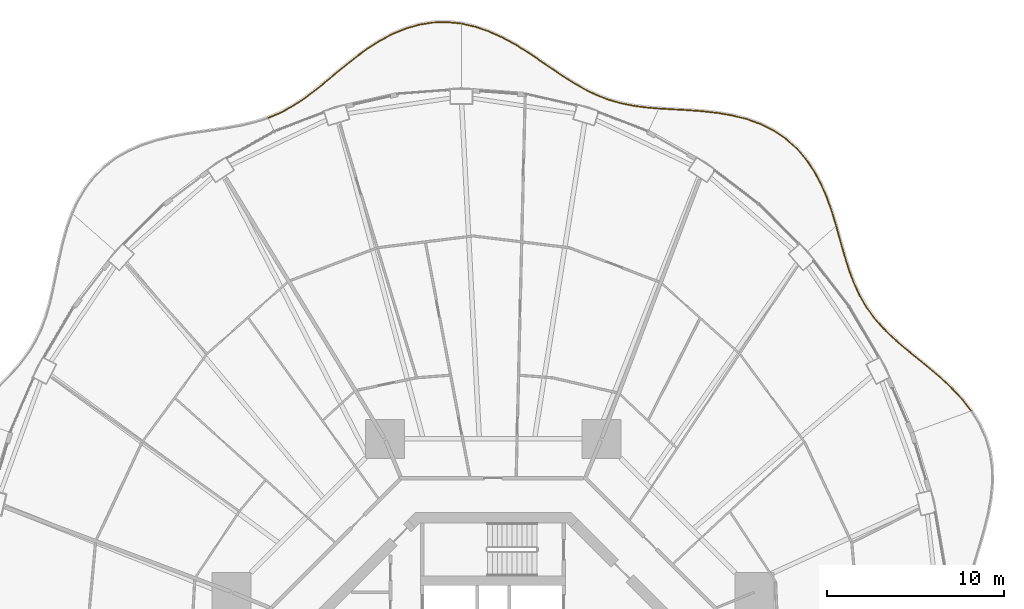
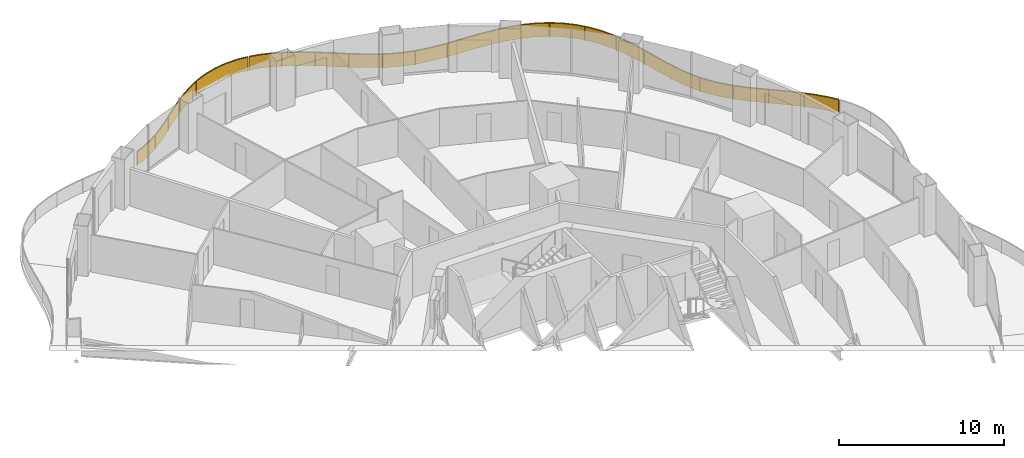
# One storey, part 24 of 24: 4 railings.
"""IFC4 building model written with IfcOpenShell, lengths in metres."""

import ifcopenshell
import ifcopenshell.guid

model = None  # the IFC model being written
_history = None  # IfcOwnerHistory: only IFC2X3 demands one
_inside = {}  # id of a spatial element -> (the spatial element, [elements in it])
_under = {}  # id of a project, library or spatial element -> (it, [spatial elements below it])
_declared = {}  # id of a project -> (the project, [libraries it declares])
_typed = {}  # id of a type object -> (the type object, [elements of that type])
_made_of = {}  # id of a material, layer set ... -> (it, [elements and type objects made of it])


def new_model(schema):
    """Start an empty IFC model of exactly this schema.

    Asked for "IFC4X3", IfcOpenShell would pick the latest addendum, in which some entities
    have other attributes; the version numbers below select the first issue.
    IFC2X3 requires an IfcOwnerHistory on every rooted entity: one is made here for all.
    """
    global model, _history
    if schema == "IFC4X3":
        model = ifcopenshell.file(schema_version=(4, 3, 0, 0))
    else:
        model = ifcopenshell.file(schema=schema)
    _inside.clear()
    _under.clear()
    _declared.clear()
    _typed.clear()
    _made_of.clear()
    _history = None
    if model.schema == "IFC2X3":
        org = make("IfcOrganization", Name="unknown")
        user = make(
            "IfcPersonAndOrganization",
            ThePerson=make("IfcPerson", FamilyName="unknown"),
            TheOrganization=org,
        )
        app = make(
            "IfcApplication",
            ApplicationDeveloper=org,
            Version="unknown",
            ApplicationFullName="unknown",
            ApplicationIdentifier="unknown",
        )
        _history = make(
            "IfcOwnerHistory",
            OwningUser=user,
            OwningApplication=app,
            ChangeAction="ADDED",
            CreationDate=0,
        )
    return model


def make(cls, **values):
    """One entity of the class cls with the attributes given. An attribute that is None is left unset."""
    return model.create_entity(
        cls, **{name: value for name, value in values.items() if value is not None}
    )


def rooted(cls, **values):
    """An entity with a GlobalId (a new one), such as an element, a storey or a relation."""
    return make(cls, GlobalId=ifcopenshell.guid.new(), OwnerHistory=_history, **values)


def si_unit(unit_type, name, prefix=None):
    """IfcSIUnit, for example si_unit("LENGTHUNIT", "METRE", prefix="MILLI")."""
    return make("IfcSIUnit", UnitType=unit_type, Prefix=prefix, Name=name)


def assignment(units):
    """IfcUnitAssignment: the units of a project."""
    return None if units is None else make("IfcUnitAssignment", Units=units)


def point(xyz):
    """IfcCartesianPoint."""
    return None if xyz is None else make("IfcCartesianPoint", Coordinates=xyz)


def direction(xyz):
    """IfcDirection."""
    return None if xyz is None else make("IfcDirection", DirectionRatios=xyz)


def frame(location, z_axis=None, x_axis=None):
    """IfcAxis2Placement3D, a coordinate frame: its origin and axes. An axis left out is left unset."""
    return make(
        "IfcAxis2Placement3D",
        Location=point(location),
        Axis=direction(z_axis),
        RefDirection=direction(x_axis),
    )


def frame_2d(location, x_axis=None):
    """IfcAxis2Placement2D, a coordinate frame in the plane: its origin and x axis."""
    return make(
        "IfcAxis2Placement2D", Location=point(location), RefDirection=direction(x_axis)
    )


def origin():
    """The frame at (0, 0, 0) with its axes left unset."""
    return frame((0.0, 0.0, 0.0))


def origin_2d():
    """The frame at (0, 0) in the plane with its x axis left unset."""
    return frame_2d((0.0, 0.0))


def place(relative_to, where):
    """IfcLocalPlacement: puts the frame where relative to a parent placement (None: the world)."""
    return make(
        "IfcLocalPlacement", PlacementRelTo=relative_to, RelativePlacement=where
    )


def context(
    kind, dimensions, precision=None, world=None, true_north=None, identifier=None
):
    """IfcGeometricRepresentationContext, for example the 3D "Model" context."""
    return make(
        "IfcGeometricRepresentationContext",
        ContextIdentifier=identifier,
        ContextType=kind,
        CoordinateSpaceDimension=dimensions,
        Precision=precision,
        WorldCoordinateSystem=world,
        TrueNorth=true_north,
    )


def subcontext(parent, identifier, kind, view, scale=None):
    """IfcGeometricRepresentationSubContext, for example "Body" below "Model"."""
    return make(
        "IfcGeometricRepresentationSubContext",
        ContextIdentifier=identifier,
        ContextType=kind,
        ParentContext=parent,
        TargetScale=scale,
        TargetView=view,
    )


def project(units=None, contexts=None):
    """IfcProject with its units and contexts."""
    return rooted(
        "IfcProject",
        Name="project",
        RepresentationContexts=contexts,
        UnitsInContext=assignment(units),
    )


def spatial(cls, under=None, at=None, **own):
    """A site, building, storey or space (cls), placed at a placement, below another one or the project."""
    s = rooted(cls, ObjectPlacement=at, **own)
    if under is not None:
        _under.setdefault(under.id(), (under, []))[1].append(s)
    return s


def polyline(points):
    """IfcPolyline through the points."""
    return make("IfcPolyline", Points=[point(p) for p in points])


def profile(cls, at=None, kind="AREA", **sizes):
    """A parametric profile (cls). Its sizes go by their IFC names, for example OverallWidth=200.0."""
    return make(cls, ProfileType=kind, Position=at, **sizes)


def rectangle(**sizes):
    """IfcRectangleProfileDef."""
    return profile("IfcRectangleProfileDef", **sizes)


def outline(outer, holes=None, kind="AREA"):
    """IfcArbitraryClosedProfileDef: a profile drawn as a closed curve; with holes, ...WithVoids."""
    if holes is None:
        return make("IfcArbitraryClosedProfileDef", ProfileType=kind, OuterCurve=outer)
    return make(
        "IfcArbitraryProfileDefWithVoids",
        ProfileType=kind,
        OuterCurve=outer,
        InnerCurves=holes,
    )


def extrude(swept, where, along, depth):
    """IfcExtrudedAreaSolid: the profile swept, set in the frame where, extruded along a direction by depth."""
    return make(
        "IfcExtrudedAreaSolid",
        SweptArea=swept,
        Position=where,
        ExtrudedDirection=direction(along),
        Depth=depth,
    )


def shape(context_of_items, identifier, shape_type, items):
    """IfcShapeRepresentation: the items that make up one representation, for example the "Body"."""
    return make(
        "IfcShapeRepresentation",
        ContextOfItems=context_of_items,
        RepresentationIdentifier=identifier,
        RepresentationType=shape_type,
        Items=items,
    )


def material(Name=None, Category=None):
    """IfcMaterial."""
    return make("IfcMaterial", Name=Name, Category=Category)


def made_of(thing, what):
    """Note that an element or type object is made of a material, layer set ...; save() writes the relation."""
    if what is not None:
        _made_of.setdefault(what.id(), (what, []))[1].append(thing)
    return thing


def type_object(cls, material=None, **own):
    """A type object (cls), such as IfcWallType, which elements share."""
    return made_of(rooted(cls, **own), material)


def element(
    cls,
    number,
    at=None,
    inside=None,
    cuts=None,
    type_object=None,
    material=None,
    context=None,
    identifier="Body",
    shape_type=None,
    held_by="IfcProductDefinitionShape",
    body=None,
    shapes=None,
    **own,
):
    """One element of the class cls, such as IfcWall. Its Tag is "e" and its number.

    at: its placement. inside: the storey or other place that contains it. cuts: it is an
    opening in that element (IfcRelVoidsElement). A single representation is given by context,
    identifier, shape_type and body (its items); several are given by shapes. held_by: the class
    of the entity that holds the representations. save() writes the other relations.
    """
    e = rooted(cls, Tag="e%d" % number, ObjectPlacement=at, **own)
    if body is not None:
        shapes = [shape(context, identifier, shape_type, body)]
    if shapes is not None:
        e.Representation = make(held_by, Representations=shapes)
    if inside is not None:
        _inside.setdefault(inside.id(), (inside, []))[1].append(e)
    if cuts is not None:
        rooted(
            "IfcRelVoidsElement", RelatingBuildingElement=cuts, RelatedOpeningElement=e
        )
    if type_object is not None:
        _typed.setdefault(type_object.id(), (type_object, []))[1].append(e)
    return made_of(e, material)


def aggregate(whole, parts):
    """IfcRelAggregates: a whole, such as a stair, and the parts it consists of."""
    return rooted("IfcRelAggregates", RelatingObject=whole, RelatedObjects=parts)


def save(model, path):
    """Write the relations noted so far, then the file.

    IfcRelAggregates (storeys below a building ...), IfcRelContainedInSpatialStructure (elements
    in a storey), IfcRelDefinesByType, IfcRelAssociatesMaterial and IfcRelDeclares: one each for
    every whole, place, type object, material and project.
    """
    for whole, parts in _under.values():
        aggregate(whole, parts)
    for where, things in _inside.values():
        rooted(
            "IfcRelContainedInSpatialStructure",
            RelatedElements=things,
            RelatingStructure=where,
        )
    for kind, things in _typed.values():
        rooted("IfcRelDefinesByType", RelatedObjects=things, RelatingType=kind)
    for what, things in _made_of.values():
        rooted("IfcRelAssociatesMaterial", RelatedObjects=things, RelatingMaterial=what)
    for by, libraries in _declared.values():
        rooted("IfcRelDeclares", RelatingContext=by, RelatedDefinitions=libraries)
    model.write(path)


model = new_model("IFC4")

# Units and contexts
model_context = context("Model", 3, precision=1e-05, world=origin(), true_north=direction((0.0, 1.0)))
body_context = subcontext(model_context, "Body", "Model", "MODEL_VIEW")
ifc_project = project(units=[si_unit("LENGTHUNIT", "METRE"), si_unit("AREAUNIT", "SQUARE_METRE"), si_unit("VOLUMEUNIT", "CUBIC_METRE"), si_unit("PLANEANGLEUNIT", "RADIAN"), si_unit("MASSUNIT", "GRAM", prefix="KILO")], contexts=[model_context])

# Site, building, storey
site_placement = place(None, origin())
site = spatial("IfcSite", under=ifc_project, at=site_placement, CompositionType="ELEMENT")
building_placement = place(site_placement, origin())
building = spatial("IfcBuilding", under=site, at=building_placement, Name="Nagisa Residences", CompositionType="ELEMENT")
storey_placement = place(building_placement, frame((0.0, 0.0, 102.89990234375)))
storey = spatial("IfcBuildingStorey", under=building, at=storey_placement, Name="L25", CompositionType="ELEMENT", Elevation=102.89990234375)

# Railings
ifc_material = material(Name="Stainless steel 316", Category="steel")
railing_type = type_object("IfcRailingType", Name="BALCONY GUARD 1100", PredefinedType="BALUSTRADE", material=ifc_material)
railing_1_placement = place(storey_placement, frame((27.0, 16.38671875, 0.0)))
element("IfcRailing", 1, at=railing_1_placement, inside=storey, type_object=railing_type, Name="guard:L25:bal01-0", PredefinedType="BALUSTRADE", context=body_context, shape_type="SweptSolid", body=[
    extrude(outline(polyline([(-0.52197265625, 0.6240234375), (-0.019775390625, -0.015380859375), (0.019775390625, 0.015380859375), (-0.48388671875, 0.65673828125), (-1.083740234375, 1.2958984375), (-1.731201171875, 1.89892578125), (-2.404541015625, 2.472412109375), (-3.08154296875, 3.025634765625), (-3.734130859375, 3.55615234375), (-4.357421875, 4.102294921875), (-4.93017578125, 4.66259765625), (-5.44287109375, 5.247802734375), (-5.890625, 5.867919921875), (-6.266357421875, 6.516845703125), (-6.5927734375, 7.2236328125), (-6.872802734375, 7.9755859375), (-7.120849609375, 8.768310546875), (-7.354248046875, 9.593505859375), (-7.57763671875, 10.395751953125), (-7.6259765625, 10.382568359375), (-7.402587890625, 9.579833984375), (-7.168701171875, 8.754150390625), (-6.920166015625, 7.95947265625), (-6.63916015625, 7.20458984375), (-6.310791015625, 6.493896484375), (-5.9326171875, 5.840576171875), (-5.48193359375, 5.216552734375), (-4.966796875, 4.6279296875), (-4.3916015625, 4.065673828125), (-3.766357421875, 3.51806640625), (-3.11328125, 2.987060546875), (-2.436767578125, 2.433837890625), (-1.764404296875, 1.861328125), (-1.118896484375, 1.26025390625), (-0.52197265625, 0.6240234375)])), frame((0.0, 0.0, 1.050048828125)), (0.0, 0.0, 1.0), 0.050048828125),
    extrude(outline(polyline([(-0.50830078125, 0.6357421875), (-0.005615234375, -0.00439453125), (0.005615234375, 0.00439453125), (-0.49755859375, 0.64501953125), (-1.096435546875, 1.282958984375), (-1.7431640625, 1.88525390625), (-2.416259765625, 2.45849609375), (-3.093017578125, 3.01171875), (-3.745849609375, 3.54248046875), (-4.369873046875, 4.089111328125), (-4.943359375, 4.650146484375), (-5.45703125, 5.236572265625), (-5.90576171875, 5.858154296875), (-6.282470703125, 6.508544921875), (-6.609619140625, 7.216796875), (-6.889892578125, 7.9697265625), (-7.13818359375, 8.76318359375), (-7.37158203125, 9.588623046875), (-7.594970703125, 10.39111328125), (-7.608642578125, 10.38720703125), (-7.38525390625, 9.584716796875), (-7.1513671875, 8.75927734375), (-6.903076171875, 7.96533203125), (-6.622314453125, 7.21142578125), (-6.294677734375, 6.502197265625), (-5.91748046875, 5.850341796875), (-5.4677734375, 5.227783203125), (-4.95361328125, 4.640380859375), (-4.379150390625, 4.078857421875), (-3.754638671875, 3.53173828125), (-3.101806640625, 3.0009765625), (-2.425048828125, 2.44775390625), (-1.75244140625, 1.875), (-1.106201171875, 1.273193359375), (-0.50830078125, 0.6357421875)])), frame((0.0, 0.0, 0.06005859375)), (0.0, 0.0, 1.0), 0.989990234375),
    extrude(rectangle(XDim=0.0400390625, YDim=0.0400390625, at=origin_2d()), origin(), (0.0, 0.0, 1.0), 1.050048828125),
    extrude(rectangle(XDim=0.0400390625, YDim=0.0400390625, at=origin_2d()), frame((-1.476806640625, 1.627685546875, 0.0)), (0.0, 0.0, 1.0), 1.050048828125),
    extrude(rectangle(XDim=0.0400390625, YDim=0.0400390625, at=origin_2d()), frame((-3.154541015625, 3.052734375, 0.0)), (0.0, 0.0, 1.0), 1.050048828125),
    extrude(rectangle(XDim=0.0400390625, YDim=0.0400390625, at=origin_2d()), frame((-4.806396484375, 4.50634765625, 0.0)), (0.0, 0.0, 1.0), 1.050048828125),
    extrude(rectangle(XDim=0.0400390625, YDim=0.0400390625, at=origin_2d()), frame((-6.139892578125, 6.248779296875, 0.0)), (0.0, 0.0, 1.0), 1.050048828125),
    extrude(rectangle(XDim=0.0400390625, YDim=0.0400390625, at=origin_2d()), frame((-6.9921875, 8.273681640625, 0.0)), (0.0, 0.0, 1.0), 1.050048828125),
    extrude(rectangle(XDim=0.0400390625, YDim=0.0400390625, at=origin_2d()), frame((-7.601806640625, 10.38916015625, 0.0)), (0.0, 0.0, 1.0), 1.050048828125),
])
railing_2_placement = place(storey_placement, frame((19.378173828125, 26.849609375, 0.0)))
element("IfcRailing", 2, at=railing_2_placement, inside=storey, type_object=railing_type, Name="guard:L25:bal02-0", PredefinedType="BALUSTRADE", context=body_context, shape_type="SweptSolid", body=[
    extrude(outline(polyline([(-0.255859375, 0.760498046875), (-0.02392578125, -0.00732421875), (0.02392578125, 0.00732421875), (-0.20849609375, 0.776123046875), (-0.493408203125, 1.578369140625), (-0.828857421875, 2.355224609375), (-1.224853515625, 3.09130859375), (-1.689697265625, 3.77294921875), (-2.2138671875, 4.376220703125), (-2.821533203125, 4.9130859375), (-3.495849609375, 5.367431640625), (-4.2294921875, 5.736328125), (-5.011962890625, 6.0234375), (-5.81787109375, 6.22607421875), (-6.658935546875, 6.372802734375), (-7.51123046875, 6.468994140625), (-8.36083984375, 6.53173828125), (-9.197509765625, 6.57861328125), (-9.968017578125, 6.623779296875), (-9.970947265625, 6.573974609375), (-9.200439453125, 6.52880859375), (-8.3642578125, 6.48193359375), (-7.51611328125, 6.419189453125), (-6.666259765625, 6.322998046875), (-5.828125, 6.17724609375), (-5.026611328125, 5.9755859375), (-4.24951171875, 5.6904296875), (-3.521240234375, 5.323974609375), (-2.852294921875, 4.87353515625), (-2.24951171875, 4.341064453125), (-1.729248046875, 3.7421875), (-1.267822265625, 3.0654296875), (-0.873779296875, 2.333251953125), (-0.539794921875, 1.559814453125), (-0.255859375, 0.760498046875)])), frame((0.0, 0.0, 1.050048828125)), (0.0, 0.0, 1.0), 0.050048828125),
    extrude(outline(polyline([(-0.23876953125, 0.76611328125), (-0.006591796875, -0.001953125), (0.006591796875, 0.001953125), (-0.2255859375, 0.7705078125), (-0.510009765625, 1.571533203125), (-0.844970703125, 2.34716796875), (-1.240234375, 3.08203125), (-1.703857421875, 3.761962890625), (-2.226806640625, 4.363525390625), (-2.83251953125, 4.89892578125), (-3.5048828125, 5.351806640625), (-4.23681640625, 5.7197265625), (-5.017333984375, 6.006103515625), (-5.821533203125, 6.20849609375), (-6.66162109375, 6.354736328125), (-7.512939453125, 6.451171875), (-8.362060546875, 6.513916015625), (-9.198486328125, 6.560791015625), (-9.968994140625, 6.60595703125), (-9.969970703125, 6.591796875), (-9.199462890625, 6.546630859375), (-8.363037109375, 6.499755859375), (-7.514404296875, 6.43701171875), (-6.66357421875, 6.341064453125), (-5.824462890625, 6.19482421875), (-5.021240234375, 5.992919921875), (-4.2421875, 5.70703125), (-3.51220703125, 5.339599609375), (-2.84130859375, 4.8876953125), (-2.236572265625, 4.353759765625), (-1.715087890625, 3.753173828125), (-1.25244140625, 3.07470703125), (-0.857666015625, 2.34130859375), (-0.523193359375, 1.566650390625), (-0.23876953125, 0.76611328125)])), frame((0.0, 0.0, 0.06005859375)), (0.0, 0.0, 1.0), 0.989990234375),
    extrude(rectangle(XDim=0.0400390625, YDim=0.0400390625, at=origin_2d()), origin(), (0.0, 0.0, 1.0), 1.050048828125),
    extrude(rectangle(XDim=0.0400390625, YDim=0.0400390625, at=origin_2d()), frame((-0.734619140625, 2.07373046875, 0.0)), (0.0, 0.0, 1.0), 1.050048828125),
    extrude(rectangle(XDim=0.0400390625, YDim=0.0400390625, at=origin_2d()), frame((-1.874755859375, 3.94775390625, 0.0)), (0.0, 0.0, 1.0), 1.050048828125),
    extrude(rectangle(XDim=0.0400390625, YDim=0.0400390625, at=origin_2d()), frame((-3.544677734375, 5.364013671875, 0.0)), (0.0, 0.0, 1.0), 1.050048828125),
    extrude(rectangle(XDim=0.0400390625, YDim=0.0400390625, at=origin_2d()), frame((-5.59521484375, 6.144287109375, 0.0)), (0.0, 0.0, 1.0), 1.050048828125),
    extrude(rectangle(XDim=0.0400390625, YDim=0.0400390625, at=origin_2d()), frame((-7.771484375, 6.463134765625, 0.0)), (0.0, 0.0, 1.0), 1.050048828125),
    extrude(rectangle(XDim=0.0400390625, YDim=0.0400390625, at=origin_2d()), frame((-9.969482421875, 6.598876953125, 0.0)), (0.0, 0.0, 1.0), 1.050048828125),
])
railing_3_placement = place(storey_placement, frame((9.33447265625, 33.451904296875, 0.0)))
element("IfcRailing", 3, at=railing_3_placement, inside=storey, type_object=railing_type, Name="guard:L25:bal03-0", PredefinedType="BALUSTRADE", context=body_context, shape_type="SweptSolid", body=[
    extrude(outline(polyline([(-0.71826171875, 0.036865234375), (-0.002197265625, -0.02490234375), (0.002197265625, 0.02490234375), (-0.712890625, 0.086669921875), (-1.444580078125, 0.187255859375), (-2.1484375, 0.332763671875), (-2.827880859375, 0.530517578125), (-3.4873046875, 0.785400390625), (-4.11669921875, 1.09228515625), (-4.7568359375, 1.456787109375), (-5.3984375, 1.86572265625), (-6.048828125, 2.30615234375), (-6.714111328125, 2.762939453125), (-7.382080078125, 3.2158203125), (-8.0908203125, 3.651123046875), (-8.822998046875, 4.046875), (-9.577392578125, 4.385009765625), (-10.351318359375, 4.6494140625), (-11.091064453125, 4.817138671875), (-11.102294921875, 4.768310546875), (-10.364990234375, 4.60107421875), (-9.595947265625, 4.338623046875), (-8.844970703125, 4.001953125), (-8.11572265625, 3.607666015625), (-7.409423828125, 3.173828125), (-6.742431640625, 2.721435546875), (-6.0771484375, 2.2646484375), (-5.42578125, 1.82373046875), (-4.78271484375, 1.413818359375), (-4.14013671875, 1.0478515625), (-3.50732421875, 0.739501953125), (-2.843994140625, 0.483154296875), (-2.16064453125, 0.283935546875), (-1.452880859375, 0.137939453125), (-0.71826171875, 0.036865234375)])), frame((0.0, 0.0, 1.050048828125)), (0.0, 0.0, 1.0), 0.050048828125),
    extrude(outline(polyline([(-0.71630859375, 0.0546875), (-0.00048828125, -0.007080078125), (0.00048828125, 0.007080078125), (-0.71484375, 0.06884765625), (-1.447509765625, 0.16943359375), (-2.15283203125, 0.315185546875), (-2.833740234375, 0.513427734375), (-3.49462890625, 0.768798828125), (-4.125244140625, 1.076171875), (-4.76611328125, 1.44140625), (-5.408203125, 1.8505859375), (-6.05908203125, 2.291259765625), (-6.724365234375, 2.748046875), (-7.391845703125, 3.20068359375), (-8.099853515625, 3.635498046875), (-8.830810546875, 4.03076171875), (-9.583984375, 4.368408203125), (-10.356201171875, 4.632080078125), (-11.09521484375, 4.799560546875), (-11.09814453125, 4.785888671875), (-10.360107421875, 4.618408203125), (-9.58935546875, 4.355224609375), (-8.837158203125, 4.01806640625), (-8.106689453125, 3.623291015625), (-7.399658203125, 3.18896484375), (-6.732177734375, 2.736328125), (-6.06689453125, 2.279541015625), (-5.416015625, 1.8388671875), (-4.7734375, 1.42919921875), (-4.131591796875, 1.06396484375), (-3.5, 0.756103515625), (-2.838134765625, 0.500244140625), (-2.15625, 0.301513671875), (-1.449951171875, 0.15576171875), (-0.71630859375, 0.0546875)])), frame((0.0, 0.0, 0.06005859375)), (0.0, 0.0, 1.0), 0.989990234375),
    extrude(rectangle(XDim=0.0400390625, YDim=0.0400390625, at=origin_2d()), origin(), (0.0, 0.0, 1.0), 1.050048828125),
    extrude(rectangle(XDim=0.0400390625, YDim=0.0400390625, at=origin_2d()), frame((-2.021240234375, 0.28076171875, 0.0)), (0.0, 0.0, 1.0), 1.050048828125),
    extrude(rectangle(XDim=0.0400390625, YDim=0.0400390625, at=origin_2d()), frame((-3.93603515625, 0.976318359375, 0.0)), (0.0, 0.0, 1.0), 1.050048828125),
    extrude(rectangle(XDim=0.0400390625, YDim=0.0400390625, at=origin_2d()), frame((-5.6845703125, 2.029296875, 0.0)), (0.0, 0.0, 1.0), 1.050048828125),
    extrude(rectangle(XDim=0.0400390625, YDim=0.0400390625, at=origin_2d()), frame((-7.373046875, 3.179443359375, 0.0)), (0.0, 0.0, 1.0), 1.050048828125),
    extrude(rectangle(XDim=0.0400390625, YDim=0.0400390625, at=origin_2d()), frame((-9.157470703125, 4.16943359375, 0.0)), (0.0, 0.0, 1.0), 1.050048828125),
    extrude(rectangle(XDim=0.0400390625, YDim=0.0400390625, at=origin_2d()), frame((-11.0966796875, 4.792724609375, 0.0)), (0.0, 0.0, 1.0), 1.050048828125),
])
railing_4_placement = place(storey_placement, frame((-1.838623046875, 38.257568359375, 0.0)))
element("IfcRailing", 4, at=railing_4_placement, inside=storey, type_object=railing_type, Name="guard:L25:bal04-0", PredefinedType="BALUSTRADE", context=body_context, shape_type="SweptSolid", body=[
    extrude(outline(polyline([(-0.745849609375, 0.0517578125), (-0.002685546875, -0.02490234375), (0.002685546875, 0.02490234375), (-0.743896484375, 0.10205078125), (-1.53955078125, 0.081298828125), (-2.327880859375, -0.041259765625), (-3.1015625, -0.26123046875), (-3.85400390625, -0.570068359375), (-4.565185546875, -0.952880859375), (-5.265869140625, -1.3984375), (-5.938720703125, -1.88720703125), (-6.586181640625, -2.39990234375), (-7.212158203125, -2.918212890625), (-7.8056640625, -3.418701171875), (-8.40771484375, -3.895751953125), (-9.009765625, -4.331787109375), (-9.620361328125, -4.7177734375), (-10.2470703125, -5.048583984375), (-10.8583984375, -5.307373046875), (-10.8388671875, -5.353271484375), (-10.2255859375, -5.093994140625), (-9.595458984375, -4.76123046875), (-8.98193359375, -4.373291015625), (-8.37744140625, -3.935791015625), (-7.77392578125, -3.457275390625), (-7.179931640625, -2.956787109375), (-6.554443359375, -2.43896484375), (-5.908447265625, -1.92724609375), (-5.237548828125, -1.43994140625), (-4.539794921875, -0.995849609375), (-3.83251953125, -0.615478515625), (-3.0849609375, -0.30859375), (-2.317138671875, -0.090087890625), (-1.53515625, 0.031494140625), (-0.745849609375, 0.0517578125)])), frame((0.0, 0.0, 1.050048828125)), (0.0, 0.0, 1.0), 0.050048828125),
    extrude(outline(polyline([(-0.7451171875, 0.06982421875), (-0.000732421875, -0.007080078125), (0.000732421875, 0.007080078125), (-0.74462890625, 0.083984375), (-1.5380859375, 0.0634765625), (-2.323974609375, -0.058837890625), (-3.095458984375, -0.2783203125), (-3.84619140625, -0.58642578125), (-4.55615234375, -0.96826171875), (-5.255615234375, -1.413330078125), (-5.927734375, -1.901611328125), (-6.57470703125, -2.4140625), (-7.200439453125, -2.93212890625), (-7.794189453125, -3.4326171875), (-8.396728515625, -3.91015625), (-8.999755859375, -4.3466796875), (-9.611328125, -4.7333984375), (-10.2392578125, -5.06494140625), (-10.851318359375, -5.323974609375), (-10.845947265625, -5.336669921875), (-10.2333984375, -5.07763671875), (-9.6044921875, -4.74560546875), (-8.991943359375, -4.3583984375), (-8.388427734375, -3.92138671875), (-7.785400390625, -3.443359375), (-7.191650390625, -2.94287109375), (-6.56591796875, -2.4248046875), (-5.91943359375, -1.912841796875), (-5.247802734375, -1.425048828125), (-4.548828125, -0.98046875), (-3.84033203125, -0.59912109375), (-3.091064453125, -0.29150390625), (-2.321044921875, -0.072509765625), (-1.53662109375, 0.04931640625), (-0.7451171875, 0.06982421875)])), frame((0.0, 0.0, 0.06005859375)), (0.0, 0.0, 1.0), 0.989990234375),
    extrude(rectangle(XDim=0.0400390625, YDim=0.0400390625, at=origin_2d()), origin(), (0.0, 0.0, 1.0), 1.050048828125),
    extrude(rectangle(XDim=0.0400390625, YDim=0.0400390625, at=origin_2d()), frame((-2.062744140625, -0.025390625, 0.0)), (0.0, 0.0, 1.0), 1.050048828125),
    extrude(rectangle(XDim=0.0400390625, YDim=0.0400390625, at=origin_2d()), frame((-4.01806640625, -0.686767578125, 0.0)), (0.0, 0.0, 1.0), 1.050048828125),
    extrude(rectangle(XDim=0.0400390625, YDim=0.0400390625, at=origin_2d()), frame((-5.767822265625, -1.7939453125, 0.0)), (0.0, 0.0, 1.0), 1.050048828125),
    extrude(rectangle(XDim=0.0400390625, YDim=0.0400390625, at=origin_2d()), frame((-7.382080078125, -3.09423828125, 0.0)), (0.0, 0.0, 1.0), 1.050048828125),
    extrude(rectangle(XDim=0.0400390625, YDim=0.0400390625, at=origin_2d()), frame((-9.01806640625, -4.366455078125, 0.0)), (0.0, 0.0, 1.0), 1.050048828125),
    extrude(rectangle(XDim=0.0400390625, YDim=0.0400390625, at=origin_2d()), frame((-10.8486328125, -5.330322265625, 0.0)), (0.0, 0.0, 1.0), 1.050048828125),
])

save(model, "model.ifc")
